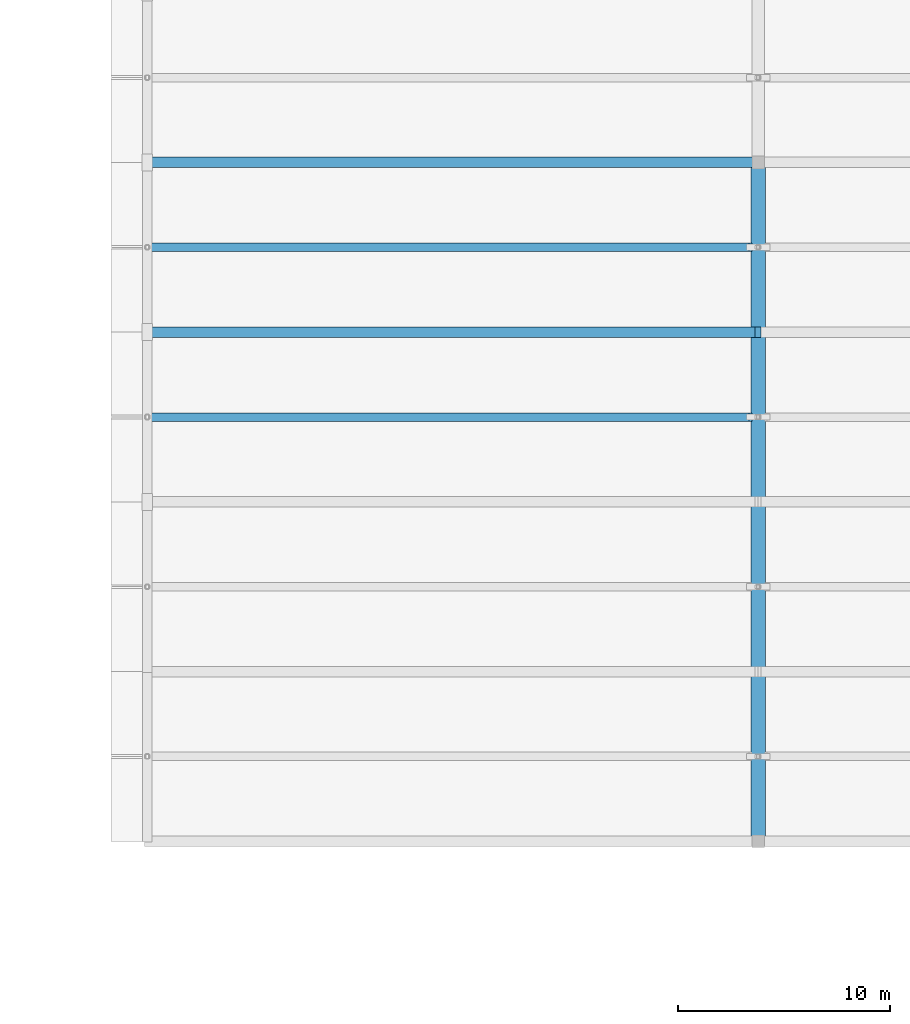
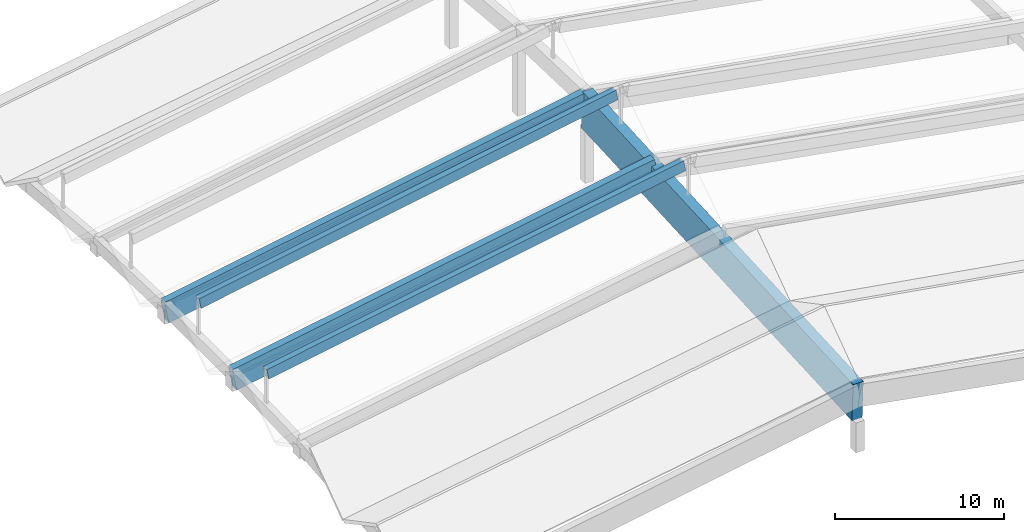
# One storey, part 22 of 109: 5 beams.
"""IFC4 building model written with IfcOpenShell, lengths in metres."""

from ifc_helpers import new_model, si_unit, direction, frame, origin, origin_2d, place, context, subcontext, project, spatial, rectangle, extrude, material, material_profile, profile_set, type_object, element, save


model = new_model("IFC4")

# Units and contexts
model_context = context("Model", 3, precision=1e-05, world=origin(), true_north=direction((0.0, 1.0)))
body_context = subcontext(model_context, "Body", "Model", "MODEL_VIEW")
ifc_project = project(units=[si_unit("LENGTHUNIT", "METRE"), si_unit("AREAUNIT", "SQUARE_METRE"), si_unit("VOLUMEUNIT", "CUBIC_METRE"), si_unit("PLANEANGLEUNIT", "RADIAN"), si_unit("MASSUNIT", "GRAM", prefix="KILO")], contexts=[model_context])

# Site, building, storey
site_placement = place(None, origin())
site = spatial("IfcSite", under=ifc_project, at=site_placement, CompositionType="ELEMENT")
building_placement = place(site_placement, origin())
building = spatial("IfcBuilding", under=site, at=building_placement, Name="Zavelmont Quarter", CompositionType="ELEMENT")
storey_placement = place(building_placement, frame((0.0, 0.0, 8.0)))
storey = spatial("IfcBuildingStorey", under=building, at=storey_placement, Name="L02", CompositionType="ELEMENT", Elevation=8.0)

# Beams
ifc_material = material(Name="Concrete C40/50", Category="concrete")
ifc_material_profile_1 = material_profile(ifc_material, rectangle(XDim=0.39990234375, YDim=0.75, at=origin_2d()), Name="RC400X750")
ifc_profile_set_1 = profile_set([ifc_material_profile_1], Name="Concrete C40/50")
beam_type_1 = type_object("IfcBeamType", Name="BM05", PredefinedType="BEAM", material=ifc_profile_set_1)
for number, where, z_axis, x_axis, name in (
    (1, (55.199951171875, 50.0, 3.455078125), (0.984299788364, 0.0, 0.176504749585), (0.0, 1.0, 0.0), "L02 beam BM05 9/H to 13/H"),
    (2, (55.199951171875, 58.0, 3.705078125), (0.984299788364, 0.0, 0.176504749585), (0.0, 1.0, 0.0), "L02 beam BM05 9/J to 13/J"),
):
    element("IfcBeam", number, at=place(storey_placement, frame(where, z_axis=z_axis, x_axis=x_axis)), inside=storey, type_object=beam_type_1, Name=name, PredefinedType="BEAM", context=body_context, shape_type="SweptSolid", body=[
        extrude(rectangle(XDim=0.39990234375, YDim=0.75, at=origin_2d()), origin(), (0.0, 0.0, 1.0), 28.8935546875),
    ])
ifc_material_profile_2 = material_profile(ifc_material, rectangle(XDim=0.5, YDim=1.60009765625, at=origin_2d()), Name="RC500X1600")
ifc_profile_set_2 = profile_set([ifc_material_profile_2], Name="Concrete C40/50")
beam_type_2 = type_object("IfcBeamType", Name="BM08", PredefinedType="BEAM", material=ifc_profile_set_2)
for number, where, z_axis, x_axis, name in (
    (3, (55.199951171875, 54.0, 0.655029296875), (0.984681036413, 0.0, 0.174365296229), (0.0, 1.0, 0.0), "L02 beam BM08 9/J to 13/J"),
    (4, (55.199951171875, 62.0, 0.655029296875), (0.984681036413, 0.0, 0.174365296229), (0.0, 1.0, 0.0), "L02 beam BM08 9/K to 13/K"),
):
    element("IfcBeam", number, at=place(storey_placement, frame(where, z_axis=z_axis, x_axis=x_axis)), inside=storey, type_object=beam_type_2, Name=name, PredefinedType="BEAM", context=body_context, shape_type="SweptSolid", body=[
        extrude(rectangle(XDim=0.5, YDim=1.60009765625, at=origin_2d()), origin(), (0.0, 0.0, 1.0), 29.248046875),
    ])
ifc_material_profile_3 = material_profile(ifc_material, rectangle(XDim=0.699951171875, YDim=2.699951171875, at=origin_2d()), Name="RC700X2700")
ifc_profile_set_3 = profile_set([ifc_material_profile_3], Name="Concrete C40/50")
beam_type_3 = type_object("IfcBeamType", Name="BM09", PredefinedType="BEAM", material=ifc_profile_set_3)
beam_placement = place(storey_placement, frame((84.0, 30.0, 3.455078125), z_axis=(0.0, 0.998507984492, 0.054605905402), x_axis=(-1.0, 0.0, 0.0)))
element("IfcBeam", 5, at=beam_placement, inside=storey, type_object=beam_type_3, Name="L02 beam BM09 13/F to 13/K", PredefinedType="BEAM", context=body_context, shape_type="SweptSolid", body=[
    extrude(rectangle(XDim=0.699951171875, YDim=2.699951171875, at=origin_2d()), origin(), (0.0, 0.0, 1.0), 32.0478515625),
])

save(model, "model.ifc")
